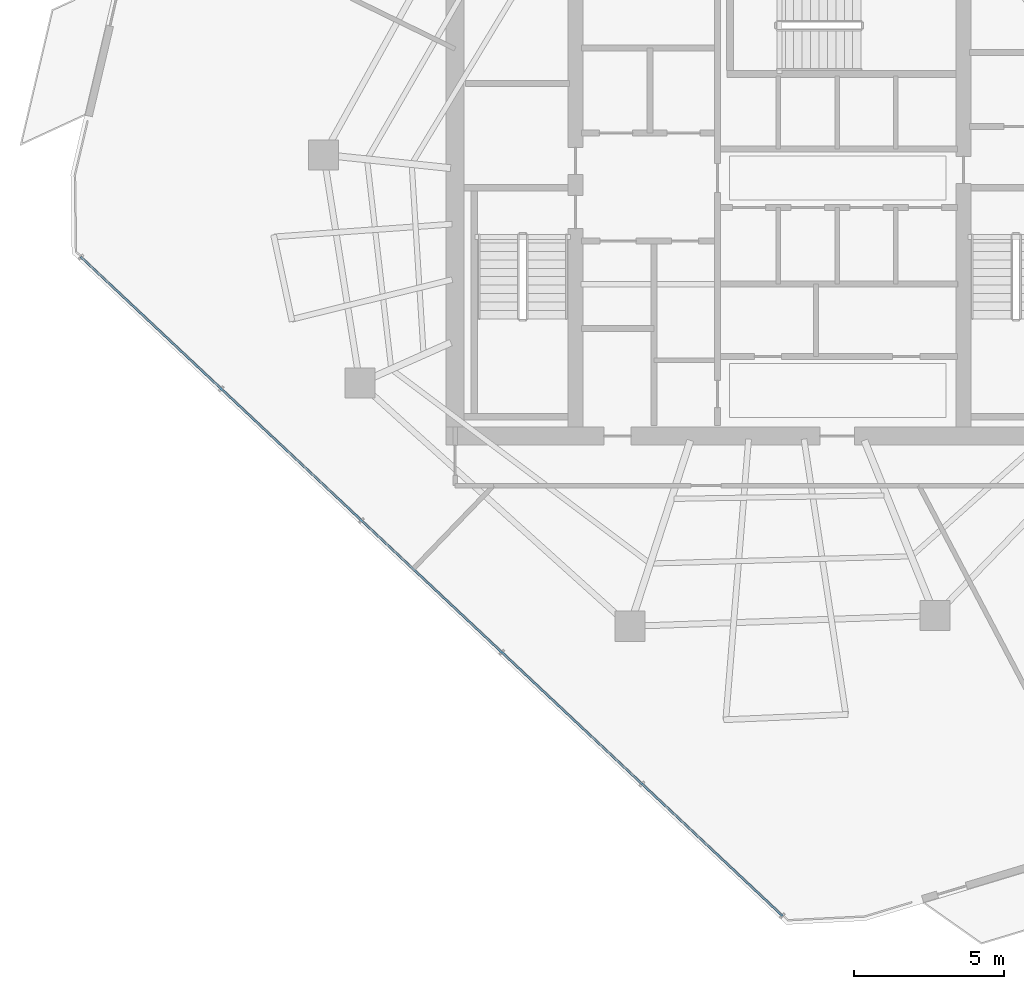
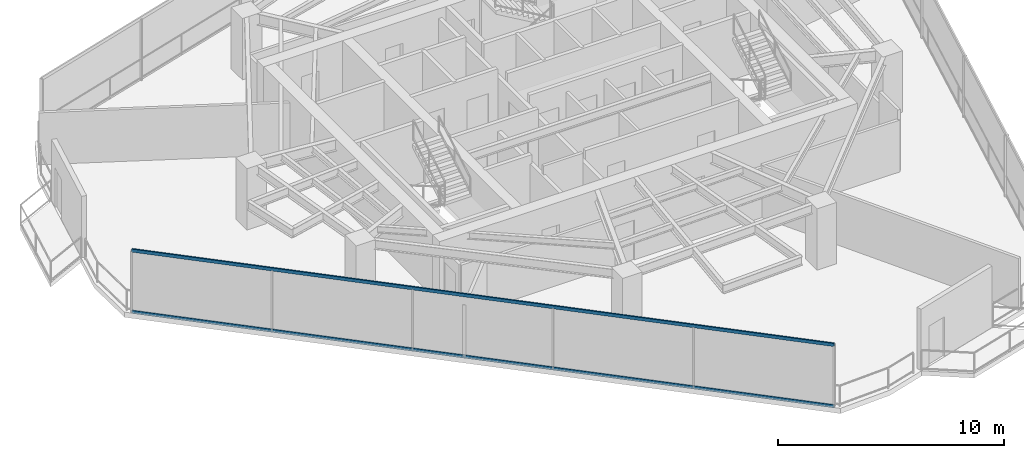
# One storey, part 3 of 19: 2 members, 1 element without a shape of its own.
"""IFC4 building model written with IfcOpenShell, lengths in metres."""

import ifcopenshell
import ifcopenshell.guid

model = None  # the IFC model being written
_history = None  # IfcOwnerHistory: only IFC2X3 demands one
_inside = {}  # id of a spatial element -> (the spatial element, [elements in it])
_under = {}  # id of a project, library or spatial element -> (it, [spatial elements below it])
_declared = {}  # id of a project -> (the project, [libraries it declares])
_typed = {}  # id of a type object -> (the type object, [elements of that type])
_made_of = {}  # id of a material, layer set ... -> (it, [elements and type objects made of it])


def new_model(schema):
    """Start an empty IFC model of exactly this schema.

    Asked for "IFC4X3", IfcOpenShell would pick the latest addendum, in which some entities
    have other attributes; the version numbers below select the first issue.
    IFC2X3 requires an IfcOwnerHistory on every rooted entity: one is made here for all.
    """
    global model, _history
    if schema == "IFC4X3":
        model = ifcopenshell.file(schema_version=(4, 3, 0, 0))
    else:
        model = ifcopenshell.file(schema=schema)
    _inside.clear()
    _under.clear()
    _declared.clear()
    _typed.clear()
    _made_of.clear()
    _history = None
    if model.schema == "IFC2X3":
        org = make("IfcOrganization", Name="unknown")
        user = make(
            "IfcPersonAndOrganization",
            ThePerson=make("IfcPerson", FamilyName="unknown"),
            TheOrganization=org,
        )
        app = make(
            "IfcApplication",
            ApplicationDeveloper=org,
            Version="unknown",
            ApplicationFullName="unknown",
            ApplicationIdentifier="unknown",
        )
        _history = make(
            "IfcOwnerHistory",
            OwningUser=user,
            OwningApplication=app,
            ChangeAction="ADDED",
            CreationDate=0,
        )
    return model


def make(cls, **values):
    """One entity of the class cls with the attributes given. An attribute that is None is left unset."""
    return model.create_entity(
        cls, **{name: value for name, value in values.items() if value is not None}
    )


def rooted(cls, **values):
    """An entity with a GlobalId (a new one), such as an element, a storey or a relation."""
    return make(cls, GlobalId=ifcopenshell.guid.new(), OwnerHistory=_history, **values)


def si_unit(unit_type, name, prefix=None):
    """IfcSIUnit, for example si_unit("LENGTHUNIT", "METRE", prefix="MILLI")."""
    return make("IfcSIUnit", UnitType=unit_type, Prefix=prefix, Name=name)


def assignment(units):
    """IfcUnitAssignment: the units of a project."""
    return None if units is None else make("IfcUnitAssignment", Units=units)


def point(xyz):
    """IfcCartesianPoint."""
    return None if xyz is None else make("IfcCartesianPoint", Coordinates=xyz)


def direction(xyz):
    """IfcDirection."""
    return None if xyz is None else make("IfcDirection", DirectionRatios=xyz)


def frame(location, z_axis=None, x_axis=None):
    """IfcAxis2Placement3D, a coordinate frame: its origin and axes. An axis left out is left unset."""
    return make(
        "IfcAxis2Placement3D",
        Location=point(location),
        Axis=direction(z_axis),
        RefDirection=direction(x_axis),
    )


def frame_2d(location, x_axis=None):
    """IfcAxis2Placement2D, a coordinate frame in the plane: its origin and x axis."""
    return make(
        "IfcAxis2Placement2D", Location=point(location), RefDirection=direction(x_axis)
    )


def origin():
    """The frame at (0, 0, 0) with its axes left unset."""
    return frame((0.0, 0.0, 0.0))


def origin_2d():
    """The frame at (0, 0) in the plane with its x axis left unset."""
    return frame_2d((0.0, 0.0))


def place(relative_to, where):
    """IfcLocalPlacement: puts the frame where relative to a parent placement (None: the world)."""
    return make(
        "IfcLocalPlacement", PlacementRelTo=relative_to, RelativePlacement=where
    )


def context(
    kind, dimensions, precision=None, world=None, true_north=None, identifier=None
):
    """IfcGeometricRepresentationContext, for example the 3D "Model" context."""
    return make(
        "IfcGeometricRepresentationContext",
        ContextIdentifier=identifier,
        ContextType=kind,
        CoordinateSpaceDimension=dimensions,
        Precision=precision,
        WorldCoordinateSystem=world,
        TrueNorth=true_north,
    )


def subcontext(parent, identifier, kind, view, scale=None):
    """IfcGeometricRepresentationSubContext, for example "Body" below "Model"."""
    return make(
        "IfcGeometricRepresentationSubContext",
        ContextIdentifier=identifier,
        ContextType=kind,
        ParentContext=parent,
        TargetScale=scale,
        TargetView=view,
    )


def project(units=None, contexts=None):
    """IfcProject with its units and contexts."""
    return rooted(
        "IfcProject",
        Name="project",
        RepresentationContexts=contexts,
        UnitsInContext=assignment(units),
    )


def spatial(cls, under=None, at=None, **own):
    """A site, building, storey or space (cls), placed at a placement, below another one or the project."""
    s = rooted(cls, ObjectPlacement=at, **own)
    if under is not None:
        _under.setdefault(under.id(), (under, []))[1].append(s)
    return s


def profile(cls, at=None, kind="AREA", **sizes):
    """A parametric profile (cls). Its sizes go by their IFC names, for example OverallWidth=200.0."""
    return make(cls, ProfileType=kind, Position=at, **sizes)


def hollow_rectangle(**sizes):
    """IfcRectangleHollowProfileDef."""
    return profile("IfcRectangleHollowProfileDef", **sizes)


def extrude(swept, where, along, depth):
    """IfcExtrudedAreaSolid: the profile swept, set in the frame where, extruded along a direction by depth."""
    return make(
        "IfcExtrudedAreaSolid",
        SweptArea=swept,
        Position=where,
        ExtrudedDirection=direction(along),
        Depth=depth,
    )


def shape(context_of_items, identifier, shape_type, items):
    """IfcShapeRepresentation: the items that make up one representation, for example the "Body"."""
    return make(
        "IfcShapeRepresentation",
        ContextOfItems=context_of_items,
        RepresentationIdentifier=identifier,
        RepresentationType=shape_type,
        Items=items,
    )


def material(Name=None, Category=None):
    """IfcMaterial."""
    return make("IfcMaterial", Name=Name, Category=Category)


def layer(
    of_material, thickness, ventilated=None, Name=None, Category=None, Priority=None
):
    """IfcMaterialLayer: one layer of a wall or slab, of a material (None: an air gap)."""
    return make(
        "IfcMaterialLayer",
        Material=of_material,
        LayerThickness=thickness,
        IsVentilated=ventilated,
        Name=Name,
        Category=Category,
        Priority=Priority,
    )


def layer_set(layers, Name=None):
    """IfcMaterialLayerSet."""
    return make("IfcMaterialLayerSet", MaterialLayers=layers, LayerSetName=Name)


def material_profile(
    of_material, cross_section, Name=None, Category=None, Priority=None
):
    """IfcMaterialProfile: a cross section and its material."""
    return make(
        "IfcMaterialProfile",
        Name=Name,
        Material=of_material,
        Profile=cross_section,
        Priority=Priority,
        Category=Category,
    )


def profile_set(profiles, Name=None, composite=None):
    """IfcMaterialProfileSet."""
    return make(
        "IfcMaterialProfileSet",
        Name=Name,
        MaterialProfiles=profiles,
        CompositeProfile=composite,
    )


def made_of(thing, what):
    """Note that an element or type object is made of a material, layer set ...; save() writes the relation."""
    if what is not None:
        _made_of.setdefault(what.id(), (what, []))[1].append(thing)
    return thing


def type_object(cls, material=None, **own):
    """A type object (cls), such as IfcWallType, which elements share."""
    return made_of(rooted(cls, **own), material)


def element(
    cls,
    number,
    at=None,
    inside=None,
    cuts=None,
    type_object=None,
    material=None,
    context=None,
    identifier="Body",
    shape_type=None,
    held_by="IfcProductDefinitionShape",
    body=None,
    shapes=None,
    **own,
):
    """One element of the class cls, such as IfcWall. Its Tag is "e" and its number.

    at: its placement. inside: the storey or other place that contains it. cuts: it is an
    opening in that element (IfcRelVoidsElement). A single representation is given by context,
    identifier, shape_type and body (its items); several are given by shapes. held_by: the class
    of the entity that holds the representations. save() writes the other relations.
    """
    e = rooted(cls, Tag="e%d" % number, ObjectPlacement=at, **own)
    if body is not None:
        shapes = [shape(context, identifier, shape_type, body)]
    if shapes is not None:
        e.Representation = make(held_by, Representations=shapes)
    if inside is not None:
        _inside.setdefault(inside.id(), (inside, []))[1].append(e)
    if cuts is not None:
        rooted(
            "IfcRelVoidsElement", RelatingBuildingElement=cuts, RelatedOpeningElement=e
        )
    if type_object is not None:
        _typed.setdefault(type_object.id(), (type_object, []))[1].append(e)
    return made_of(e, material)


def aggregate(whole, parts):
    """IfcRelAggregates: a whole, such as a stair, and the parts it consists of."""
    return rooted("IfcRelAggregates", RelatingObject=whole, RelatedObjects=parts)


def save(model, path):
    """Write the relations noted so far, then the file.

    IfcRelAggregates (storeys below a building ...), IfcRelContainedInSpatialStructure (elements
    in a storey), IfcRelDefinesByType, IfcRelAssociatesMaterial and IfcRelDeclares: one each for
    every whole, place, type object, material and project.
    """
    for whole, parts in _under.values():
        aggregate(whole, parts)
    for where, things in _inside.values():
        rooted(
            "IfcRelContainedInSpatialStructure",
            RelatedElements=things,
            RelatingStructure=where,
        )
    for kind, things in _typed.values():
        rooted("IfcRelDefinesByType", RelatedObjects=things, RelatingType=kind)
    for what, things in _made_of.values():
        rooted("IfcRelAssociatesMaterial", RelatedObjects=things, RelatingMaterial=what)
    for by, libraries in _declared.values():
        rooted("IfcRelDeclares", RelatingContext=by, RelatedDefinitions=libraries)
    model.write(path)


model = new_model("IFC4")

# Units and contexts
model_context = context("Model", 3, precision=1e-05, world=origin(), true_north=direction((0.0, 1.0)))
body_context = subcontext(model_context, "Body", "Model", "MODEL_VIEW")
ifc_project = project(units=[si_unit("LENGTHUNIT", "METRE"), si_unit("AREAUNIT", "SQUARE_METRE"), si_unit("VOLUMEUNIT", "CUBIC_METRE"), si_unit("PLANEANGLEUNIT", "RADIAN"), si_unit("MASSUNIT", "GRAM", prefix="KILO")], contexts=[model_context])

# Site, building, storey
site_placement = place(None, origin())
site = spatial("IfcSite", under=ifc_project, at=site_placement, CompositionType="ELEMENT")
building_placement = place(site_placement, origin())
building = spatial("IfcBuilding", under=site, at=building_placement, Name="Qarnah Convention Tower", CompositionType="ELEMENT")
storey_placement = place(building_placement, frame((0.0, 0.0, 129.300048828125)))
storey = spatial("IfcBuildingStorey", under=building, at=storey_placement, Name="L34", CompositionType="ELEMENT", Elevation=129.300048828125)

# Curtain wall, members
ifc_material_1 = material(Name="Tempered Low-E dark glass", Category="glass")
ifc_layer = layer(ifc_material_1, 0.172119140625)
ifc_layer_set = layer_set([ifc_layer], Name="Tempered Low-E dark glass")
curtain_wall_type = type_object("IfcCurtainWallType", Name="CWS-03", PredefinedType="NOTDEFINED", material=ifc_layer_set)
curtain_wall_placement = place(storey_placement, origin())
curtain_wall = element("IfcCurtainWall", 1, at=curtain_wall_placement, inside=storey, type_object=curtain_wall_type, Name="L34 unitised curtain wall CW-L34-F1", PredefinedType="NOTDEFINED")
ifc_material_2 = material(Name="Black anodised aluminium", Category="aluminium")
ifc_material_profile = material_profile(ifc_material_2, hollow_rectangle(XDim=0.070068359375, YDim=0.169921875, WallThickness=0.0048828125, at=origin_2d()), Name="TRN-70X170")
ifc_profile_set = profile_set([ifc_material_profile], Name="Black anodised aluminium")
member_type = type_object("IfcMemberType", Name="TRN-T3", PredefinedType="USERDEFINED", material=ifc_profile_set)
member_1_placement = place(storey_placement, frame((37.679931640625, 2.654052734375, 0.0), z_axis=(-0.728966237427, 0.684549651005, 0.0), x_axis=(-0.684549651005, -0.728966237427, 0.0)))
member_1 = element("IfcMember", 2, at=member_1_placement, type_object=member_type, Name="CW-L34-F1 transom 1", ObjectType="TRANSOM", PredefinedType="USERDEFINED", context=body_context, shape_type="SweptSolid", body=[
    extrude(hollow_rectangle(XDim=0.070068359375, YDim=0.169921875, WallThickness=0.0048828125, at=origin_2d()), origin(), (0.0, 0.0, 1.0), 31.990234375),
])
member_2_placement = place(storey_placement, frame((37.679931640625, 2.654052734375, 3.320068359375), z_axis=(-0.728966237427, 0.684549651005, 0.0), x_axis=(-0.684549651005, -0.728966237427, 0.0)))
member_2 = element("IfcMember", 3, at=member_2_placement, type_object=member_type, Name="CW-L34-F1 transom 2", ObjectType="TRANSOM", PredefinedType="USERDEFINED", context=body_context, shape_type="SweptSolid", body=[
    extrude(hollow_rectangle(XDim=0.070068359375, YDim=0.169921875, WallThickness=0.0048828125, at=origin_2d()), origin(), (0.0, 0.0, 1.0), 31.990234375),
])
aggregate(curtain_wall, [member_1, member_2])

save(model, "model.ifc")
